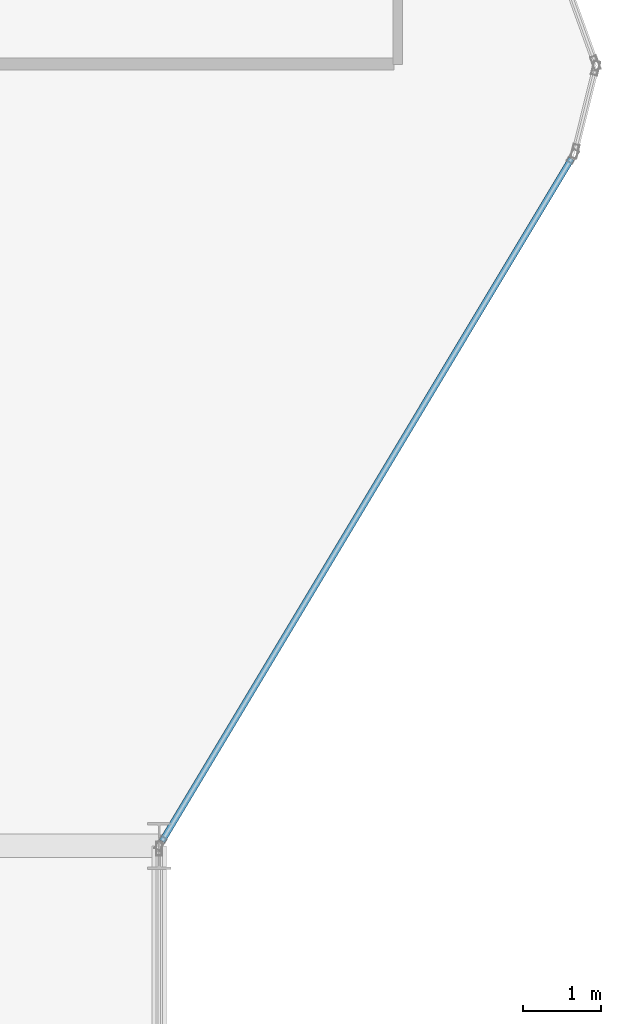
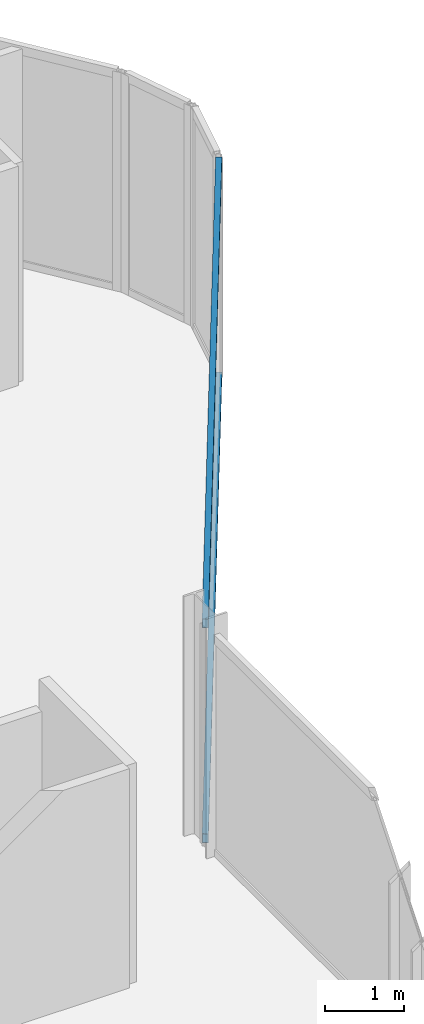
# One storey, part 13 of 29: 2 members, 1 element without a shape of its own.
"""IFC4 building model written with IfcOpenShell, lengths in metres."""

from ifc_helpers import new_model, si_unit, direction, frame, origin, origin_2d, place, context, subcontext, project, spatial, hollow_rectangle, extrude, material, layer, layer_set, material_profile, profile_set, type_object, element, aggregate, save


model = new_model("IFC4")

# Units and contexts
model_context = context("Model", 3, precision=1e-05, world=origin(), true_north=direction((0.0, 1.0)))
body_context = subcontext(model_context, "Body", "Model", "MODEL_VIEW")
ifc_project = project(units=[si_unit("LENGTHUNIT", "METRE"), si_unit("AREAUNIT", "SQUARE_METRE"), si_unit("VOLUMEUNIT", "CUBIC_METRE"), si_unit("PLANEANGLEUNIT", "RADIAN"), si_unit("MASSUNIT", "GRAM", prefix="KILO")], contexts=[model_context])

# Site, building, storey
site_placement = place(None, origin())
site = spatial("IfcSite", under=ifc_project, at=site_placement, CompositionType="ELEMENT")
building_placement = place(site_placement, origin())
building = spatial("IfcBuilding", under=site, at=building_placement, Name="Keshet Zoharim Tower", CompositionType="ELEMENT")
storey_placement = place(building_placement, frame((0.0, 0.0, 98.300048828125)))
storey = spatial("IfcBuildingStorey", under=building, at=storey_placement, Name="L23", CompositionType="ELEMENT", Elevation=98.300048828125)

# Curtain wall, members
ifc_material = material(Name="Aluminium 6063-T6", Category="aluminium")
ifc_layer = layer(ifc_material, 0.159912109375)
ifc_layer_set = layer_set([ifc_layer], Name="Aluminium 6063-T6")
curtain_wall_type = type_object("IfcCurtainWallType", Name="CW-SYS-03", PredefinedType="NOTDEFINED", material=ifc_layer_set)
curtain_wall_placement = place(storey_placement, origin())
curtain_wall = element("IfcCurtainWall", 1, at=curtain_wall_placement, inside=storey, type_object=curtain_wall_type, Name="L23 Unitised Curtain Wall 18", PredefinedType="NOTDEFINED")
ifc_material_profile = material_profile(ifc_material, hollow_rectangle(XDim=0.080078125, YDim=0.139892578125, WallThickness=0.00390625, at=origin_2d()), Name="TRN-80x140")
ifc_profile_set = profile_set([ifc_material_profile], Name="Aluminium 6063-T6")
member_type = type_object("IfcMemberType", Name="CWT-T14", PredefinedType="USERDEFINED", material=ifc_profile_set)
member_1_placement = place(storey_placement, frame((62.27197265625, 36.68701171875, 0.034912109375), z_axis=(-0.514467532827, -0.857509858641, 0.0), x_axis=(0.857509858641, -0.514467532827, 0.0)))
member_1 = element("IfcMember", 2, at=member_1_placement, type_object=member_type, Name="CW-03 transom 1.1", ObjectType="TRANSOM", PredefinedType="USERDEFINED", context=body_context, shape_type="SweptSolid", body=[
    extrude(hollow_rectangle(XDim=0.080078125, YDim=0.139892578125, WallThickness=0.00390625, at=origin_2d()), origin(), (0.0, 0.0, 1.0), 10.17724609375),
])
member_2_placement = place(storey_placement, frame((62.27197265625, 36.68701171875, 3.349853515625), z_axis=(-0.514467532827, -0.857509858641, 0.0), x_axis=(0.857509858641, -0.514467532827, 0.0)))
member_2 = element("IfcMember", 3, at=member_2_placement, type_object=member_type, Name="CW-03 transom 1.2", ObjectType="TRANSOM", PredefinedType="USERDEFINED", context=body_context, shape_type="SweptSolid", body=[
    extrude(hollow_rectangle(XDim=0.080078125, YDim=0.139892578125, WallThickness=0.00390625, at=origin_2d()), origin(), (0.0, 0.0, 1.0), 10.17724609375),
])
aggregate(curtain_wall, [member_1, member_2])

save(model, "model.ifc")
